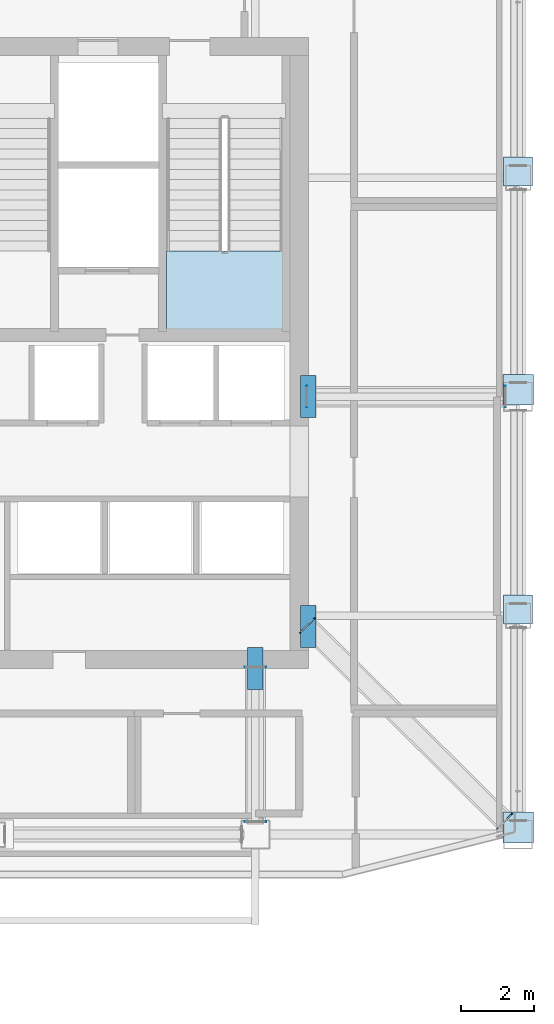
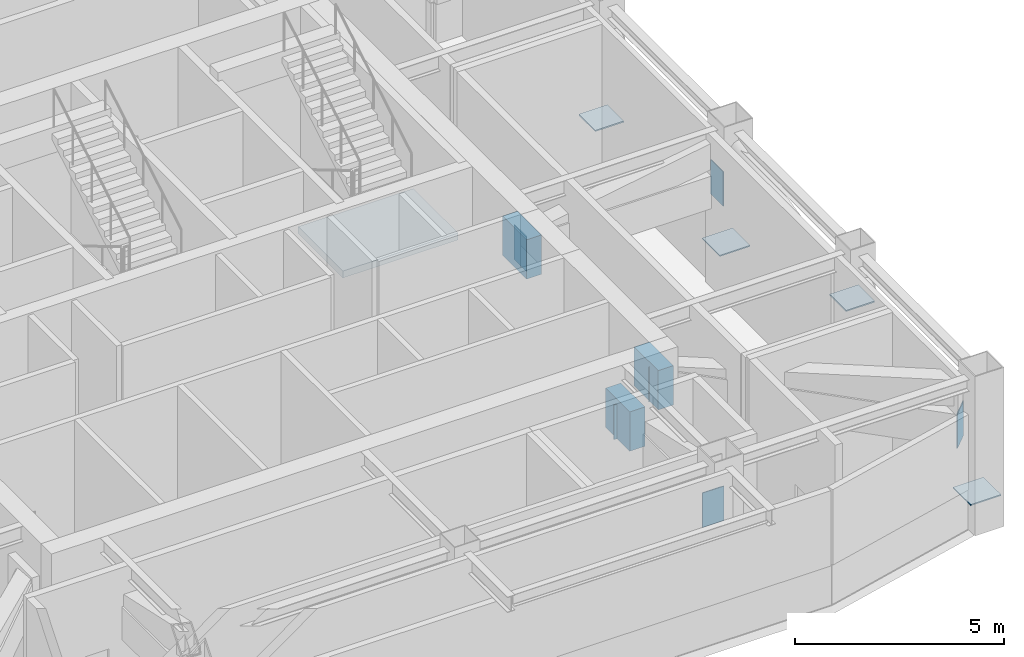
# One storey, part 4 of 15: 13 plates, 1 slab, 1 element without a shape of its own.
"""IFC4 building model written with IfcOpenShell, lengths in metres."""

from ifc_helpers import new_model, si_unit, direction, frame, origin, origin_2d, place, context, subcontext, project, spatial, polyline, rectangle, outline, extrude, material, layer, layer_set, type_object, element, aggregate, save


model = new_model("IFC4")

# Units and contexts
model_context = context("Model", 3, precision=1e-05, world=origin(), true_north=direction((0.0, 1.0)))
body_context = subcontext(model_context, "Body", "Model", "MODEL_VIEW")
ifc_project = project(units=[si_unit("LENGTHUNIT", "METRE"), si_unit("AREAUNIT", "SQUARE_METRE"), si_unit("VOLUMEUNIT", "CUBIC_METRE"), si_unit("PLANEANGLEUNIT", "RADIAN"), si_unit("MASSUNIT", "GRAM", prefix="KILO")], contexts=[model_context])

# Site, building, storey
site_placement = place(None, origin())
site = spatial("IfcSite", under=ifc_project, at=site_placement, CompositionType="ELEMENT")
building_placement = place(site_placement, origin())
building = spatial("IfcBuilding", under=site, at=building_placement, Name="Haolan Belvedere Tower", CompositionType="ELEMENT")
storey_placement = place(building_placement, frame((0.0, 0.0, 277.550048828125)))
storey = spatial("IfcBuildingStorey", under=building, at=storey_placement, Name="L70", CompositionType="ELEMENT", Elevation=277.550048828125)

# Plates
ifc_material_1 = material(Name="Steel Q355B", Category="steel")
ifc_layer_1 = layer(ifc_material_1, 0.02490234375, Name="Steel Q355B")
ifc_layer_set_1 = layer_set([ifc_layer_1], Name="Steel Q355B")
plate_type_1 = type_object("IfcPlateType", Name="PL-CAP-25", PredefinedType="SHEET", material=ifc_layer_set_1)
for number, where, z_axis, x_axis, name in (
    (1, (47.007568359375, 33.60009765625, 2.27490234375), (0.0, 0.0, 1.0), (0.0, -1.0, 0.0), "Hollow steel end-cap plate OR-E1-L70-BC-CAP0"),
    (2, (52.4423828125, 33.60009765625, 2.27490234375), (0.0, 0.0, 1.0), (0.0, 1.0, 0.0), "Hollow steel end-cap plate OR-E1-L70-BC-CAP1"),
    (3, (47.019775390625, 27.329833984375, 2.27490234375), (0.0, 0.0, 1.0), (-0.704014724456, -0.710185375623, 0.0), "Hollow steel end-cap plate OR-E2-L70-BC-CAP0"),
    (4, (52.43017578125, 21.966552734375, 2.27490234375), (0.0, 0.0, 1.0), (0.704014724456, 0.710185375623, 0.0), "Hollow steel end-cap plate OR-E2-L70-BC-CAP1"),
    (5, (45.60009765625, 26.1923828125, 2.27490234375), (0.0, 0.0, 1.0), (-1.0, 0.0, 0.0), "Hollow steel end-cap plate OR-S2-L70-BC-CAP0"),
    (6, (45.60009765625, 21.95751953125, 2.27490234375), (0.0, 0.0, 1.0), (1.0, 0.0, 0.0), "Hollow steel end-cap plate OR-S2-L70-BC-CAP1"),
):
    element("IfcPlate", number, at=place(storey_placement, frame(where, z_axis=z_axis, x_axis=x_axis)), inside=storey, type_object=plate_type_1, Name=name, PredefinedType="SHEET", context=body_context, shape_type="SweptSolid", body=[
        extrude(rectangle(XDim=0.590087890625, YDim=0.02490234375, at=origin_2d()), origin(), (0.0, 0.0, 1.0), 1.010009765625),
    ])
ifc_material_2 = material(Name="Steel Q420GJC", Category="steel")
ifc_layer_2 = layer(ifc_material_2, 0.0400390625, Name="Steel Q420GJC")
ifc_layer_set_2 = layer_set([ifc_layer_2], Name="Steel Q420GJC")
plate_type_2 = type_object("IfcPlateType", Name="PL-NODE-NP02", PredefinedType="USERDEFINED", material=ifc_layer_set_2)
for number, where, z_axis, x_axis, name in (
    (7, (47.050048828125, 33.60009765625, 2.27490234375), (0.0, 0.0, 1.0), (1.0, 0.0, 0.0), "NP-02 outrigger truss core-wall cast-in node plate L70 OR-E1"),
    (8, (47.050048828125, 27.300048828125, 2.27490234375), (0.0, 0.0, 1.0), (1.0, 0.0, 0.0), "NP-02 outrigger truss core-wall cast-in node plate L70 OR-E2"),
    (9, (45.60009765625, 26.14990234375, 2.27490234375), (0.0, 0.0, 1.0), (1.0, 0.0, 0.0), "NP-02 outrigger truss core-wall cast-in node plate L70 OR-S2"),
):
    element("IfcPlate", number, at=place(storey_placement, frame(where, z_axis=z_axis, x_axis=x_axis)), inside=storey, type_object=plate_type_2, Name=name, ObjectType="GUSSET", PredefinedType="USERDEFINED", context=body_context, shape_type="SweptSolid", body=[
        extrude(rectangle(XDim=0.419921875, YDim=1.14990234375, at=origin_2d()), origin(), (0.0, 0.0, 1.0), 1.14990234375),
    ])
ifc_material_3 = material(Name="Steel Q390GJC", Category="steel")
ifc_layer_3 = layer(ifc_material_3, 0.035888671875, Name="Steel Q390GJC")
ifc_layer_set_3 = layer_set([ifc_layer_3], Name="Steel Q390GJC")
plate_type_3 = type_object("IfcPlateType", Name="PL-NODE-NP03", PredefinedType="USERDEFINED", material=ifc_layer_set_3)
plate_1_placement = place(storey_placement, frame((52.800048828125, 21.794921875, 0.7822265625), z_axis=(0.0, 0.0, 1.0), x_axis=(1.0, 0.0, 0.0)))
element("IfcPlate", 10, at=plate_1_placement, inside=storey, type_object=plate_type_3, Name="NP-03 belt truss node plate L70 BT-E1", ObjectType="GUSSET", PredefinedType="USERDEFINED", context=body_context, shape_type="SweptSolid", body=[
    extrude(rectangle(XDim=0.840087890625, YDim=0.840087890625, at=origin_2d()), origin(), (0.0, 0.0, 1.0), 0.035888671875),
])
plate_2_placement = place(storey_placement, frame((52.800048828125, 27.77001953125, 2.80224609375), z_axis=(0.0, 0.0, 1.0), x_axis=(1.0, 0.0, 0.0)))
element("IfcPlate", 11, at=plate_2_placement, inside=storey, type_object=plate_type_3, Name="NP-03 belt truss node plate L70 BT-E2", ObjectType="GUSSET", PredefinedType="USERDEFINED", context=body_context, shape_type="SweptSolid", body=[
    extrude(rectangle(XDim=0.7900390625, YDim=0.7900390625, at=origin_2d()), origin(), (0.0, 0.0, 1.0), 0.035888671875),
])
plate_3_placement = place(storey_placement, frame((52.800048828125, 33.794921875, 0.7822265625), z_axis=(0.0, 0.0, 1.0), x_axis=(1.0, 0.0, 0.0)))
element("IfcPlate", 12, at=plate_3_placement, inside=storey, type_object=plate_type_3, Name="NP-03 belt truss node plate L70 BT-E3", ObjectType="GUSSET", PredefinedType="USERDEFINED", context=body_context, shape_type="SweptSolid", body=[
    extrude(rectangle(XDim=0.840087890625, YDim=0.840087890625, at=origin_2d()), origin(), (0.0, 0.0, 1.0), 0.035888671875),
])
plate_4_placement = place(storey_placement, frame((52.800048828125, 39.77001953125, 0.7822265625), z_axis=(0.0, 0.0, 1.0), x_axis=(1.0, 0.0, 0.0)))
element("IfcPlate", 13, at=plate_4_placement, inside=storey, type_object=plate_type_3, Name="NP-03 belt truss node plate L70 BT-E4", ObjectType="GUSSET", PredefinedType="USERDEFINED", context=body_context, shape_type="SweptSolid", body=[
    extrude(rectangle(XDim=0.7900390625, YDim=0.7900390625, at=origin_2d()), origin(), (0.0, 0.0, 1.0), 0.035888671875),
])

# Stair, slab
ifc_material_4 = material(Name="Concrete C40/50", Category="concrete")
stair_type = type_object("IfcStairType", Name="STR-DL-28R-166", PredefinedType="HALF_TURN_STAIR", material=ifc_material_4)
stair_placement = place(storey_placement, origin())
stair = element("IfcStair", 14, at=stair_placement, inside=storey, type_object=stair_type, Name="L70 Smokeproof Core Exit Stair ST2", PredefinedType="HALF_TURN_STAIR")
ifc_layer_4 = layer(ifc_material_4, 0.199951171875, Name="Concrete C40/50")
ifc_layer_set_4 = layer_set([ifc_layer_4], Name="Concrete C40/50")
slab_type = type_object("IfcSlabType", Name="SL-LAND-200", PredefinedType="LANDING", material=ifc_layer_set_4)
slab_placement = place(storey_placement, frame((0.0, 0.0, 2.125)))
slab = element("IfcSlab", 15, at=slab_placement, type_object=slab_type, Name="ST2 landing 1", PredefinedType="LANDING", context=body_context, shape_type="SweptSolid", body=[
    extrude(outline(polyline([(43.169921875, 37.590087890625), (43.169921875, 35.449951171875), (46.35009765625, 35.449951171875), (46.35009765625, 37.590087890625), (43.169921875, 37.590087890625)])), origin(), (0.0, 0.0, 1.0), 0.199951171875),
])
aggregate(stair, [slab])

save(model, "model.ifc")
